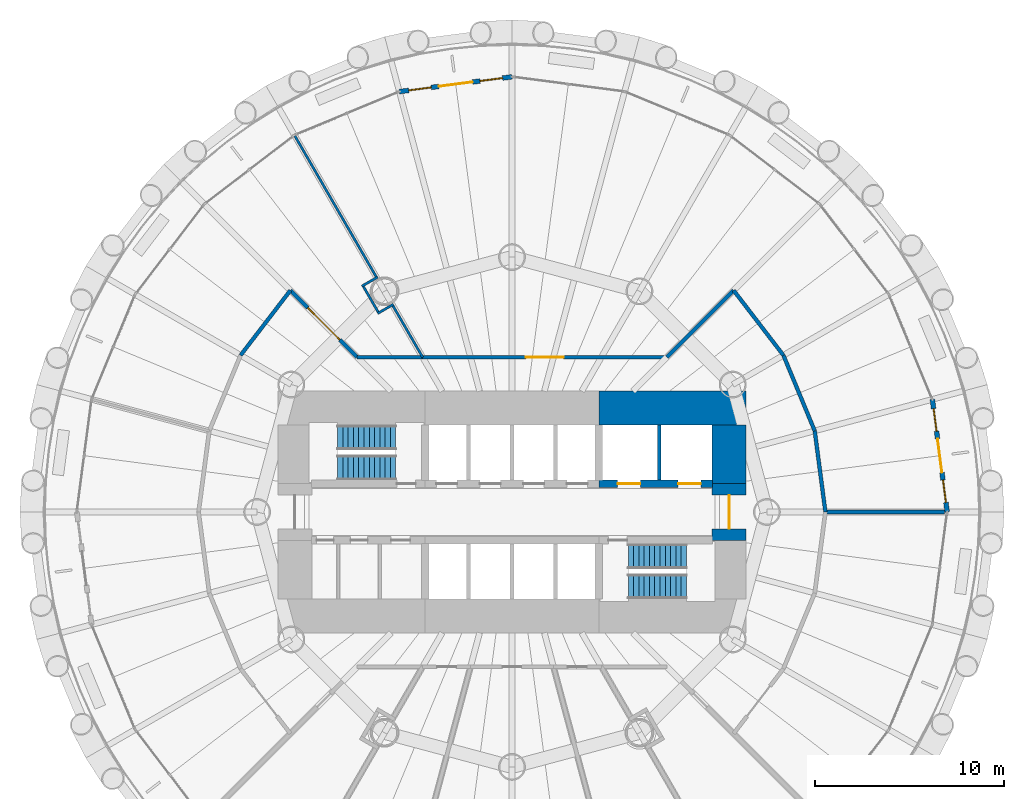
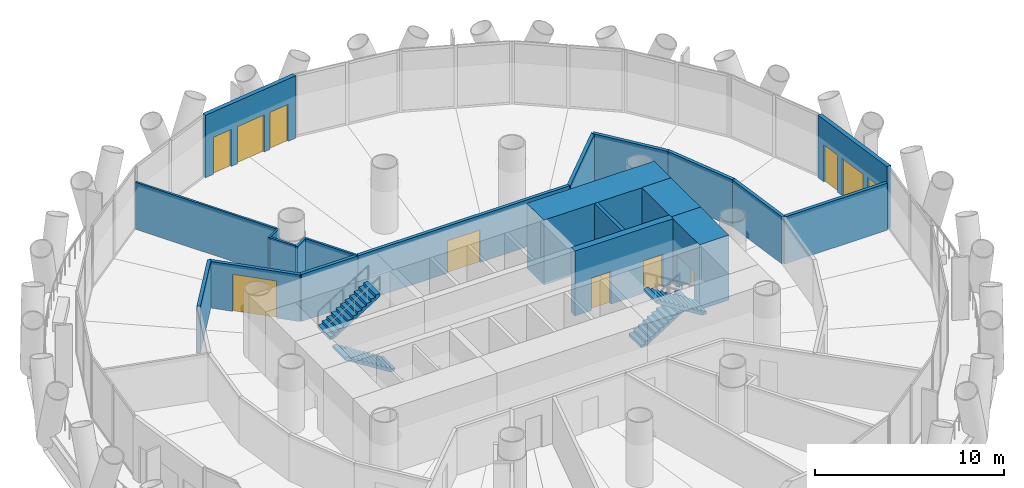
# One storey, part 10 of 14: 21 walls, 7 doors, 4 stair flights, 4 windows, 11 openings, 2 elements without a shape of their own.
"""IFC4 building model written with IfcOpenShell, lengths in metres."""

import ifcopenshell
import ifcopenshell.guid

model = None  # the IFC model being written
_history = None  # IfcOwnerHistory: only IFC2X3 demands one
_inside = {}  # id of a spatial element -> (the spatial element, [elements in it])
_under = {}  # id of a project, library or spatial element -> (it, [spatial elements below it])
_declared = {}  # id of a project -> (the project, [libraries it declares])
_typed = {}  # id of a type object -> (the type object, [elements of that type])
_made_of = {}  # id of a material, layer set ... -> (it, [elements and type objects made of it])


def new_model(schema):
    """Start an empty IFC model of exactly this schema.

    Asked for "IFC4X3", IfcOpenShell would pick the latest addendum, in which some entities
    have other attributes; the version numbers below select the first issue.
    IFC2X3 requires an IfcOwnerHistory on every rooted entity: one is made here for all.
    """
    global model, _history
    if schema == "IFC4X3":
        model = ifcopenshell.file(schema_version=(4, 3, 0, 0))
    else:
        model = ifcopenshell.file(schema=schema)
    _inside.clear()
    _under.clear()
    _declared.clear()
    _typed.clear()
    _made_of.clear()
    _history = None
    if model.schema == "IFC2X3":
        org = make("IfcOrganization", Name="unknown")
        user = make(
            "IfcPersonAndOrganization",
            ThePerson=make("IfcPerson", FamilyName="unknown"),
            TheOrganization=org,
        )
        app = make(
            "IfcApplication",
            ApplicationDeveloper=org,
            Version="unknown",
            ApplicationFullName="unknown",
            ApplicationIdentifier="unknown",
        )
        _history = make(
            "IfcOwnerHistory",
            OwningUser=user,
            OwningApplication=app,
            ChangeAction="ADDED",
            CreationDate=0,
        )
    return model


def make(cls, **values):
    """One entity of the class cls with the attributes given. An attribute that is None is left unset."""
    return model.create_entity(
        cls, **{name: value for name, value in values.items() if value is not None}
    )


def rooted(cls, **values):
    """An entity with a GlobalId (a new one), such as an element, a storey or a relation."""
    return make(cls, GlobalId=ifcopenshell.guid.new(), OwnerHistory=_history, **values)


def si_unit(unit_type, name, prefix=None):
    """IfcSIUnit, for example si_unit("LENGTHUNIT", "METRE", prefix="MILLI")."""
    return make("IfcSIUnit", UnitType=unit_type, Prefix=prefix, Name=name)


def assignment(units):
    """IfcUnitAssignment: the units of a project."""
    return None if units is None else make("IfcUnitAssignment", Units=units)


def point(xyz):
    """IfcCartesianPoint."""
    return None if xyz is None else make("IfcCartesianPoint", Coordinates=xyz)


def direction(xyz):
    """IfcDirection."""
    return None if xyz is None else make("IfcDirection", DirectionRatios=xyz)


def frame(location, z_axis=None, x_axis=None):
    """IfcAxis2Placement3D, a coordinate frame: its origin and axes. An axis left out is left unset."""
    return make(
        "IfcAxis2Placement3D",
        Location=point(location),
        Axis=direction(z_axis),
        RefDirection=direction(x_axis),
    )


def frame_2d(location, x_axis=None):
    """IfcAxis2Placement2D, a coordinate frame in the plane: its origin and x axis."""
    return make(
        "IfcAxis2Placement2D", Location=point(location), RefDirection=direction(x_axis)
    )


def origin():
    """The frame at (0, 0, 0) with its axes left unset."""
    return frame((0.0, 0.0, 0.0))


def place(relative_to, where):
    """IfcLocalPlacement: puts the frame where relative to a parent placement (None: the world)."""
    return make(
        "IfcLocalPlacement", PlacementRelTo=relative_to, RelativePlacement=where
    )


def context(
    kind, dimensions, precision=None, world=None, true_north=None, identifier=None
):
    """IfcGeometricRepresentationContext, for example the 3D "Model" context."""
    return make(
        "IfcGeometricRepresentationContext",
        ContextIdentifier=identifier,
        ContextType=kind,
        CoordinateSpaceDimension=dimensions,
        Precision=precision,
        WorldCoordinateSystem=world,
        TrueNorth=true_north,
    )


def subcontext(parent, identifier, kind, view, scale=None):
    """IfcGeometricRepresentationSubContext, for example "Body" below "Model"."""
    return make(
        "IfcGeometricRepresentationSubContext",
        ContextIdentifier=identifier,
        ContextType=kind,
        ParentContext=parent,
        TargetScale=scale,
        TargetView=view,
    )


def project(units=None, contexts=None):
    """IfcProject with its units and contexts."""
    return rooted(
        "IfcProject",
        Name="project",
        RepresentationContexts=contexts,
        UnitsInContext=assignment(units),
    )


def spatial(cls, under=None, at=None, **own):
    """A site, building, storey or space (cls), placed at a placement, below another one or the project."""
    s = rooted(cls, ObjectPlacement=at, **own)
    if under is not None:
        _under.setdefault(under.id(), (under, []))[1].append(s)
    return s


def polyline(points):
    """IfcPolyline through the points."""
    return make("IfcPolyline", Points=[point(p) for p in points])


def profile(cls, at=None, kind="AREA", **sizes):
    """A parametric profile (cls). Its sizes go by their IFC names, for example OverallWidth=200.0."""
    return make(cls, ProfileType=kind, Position=at, **sizes)


def rectangle(**sizes):
    """IfcRectangleProfileDef."""
    return profile("IfcRectangleProfileDef", **sizes)


def outline(outer, holes=None, kind="AREA"):
    """IfcArbitraryClosedProfileDef: a profile drawn as a closed curve; with holes, ...WithVoids."""
    if holes is None:
        return make("IfcArbitraryClosedProfileDef", ProfileType=kind, OuterCurve=outer)
    return make(
        "IfcArbitraryProfileDefWithVoids",
        ProfileType=kind,
        OuterCurve=outer,
        InnerCurves=holes,
    )


def extrude(swept, where, along, depth):
    """IfcExtrudedAreaSolid: the profile swept, set in the frame where, extruded along a direction by depth."""
    return make(
        "IfcExtrudedAreaSolid",
        SweptArea=swept,
        Position=where,
        ExtrudedDirection=direction(along),
        Depth=depth,
    )


def shape(context_of_items, identifier, shape_type, items):
    """IfcShapeRepresentation: the items that make up one representation, for example the "Body"."""
    return make(
        "IfcShapeRepresentation",
        ContextOfItems=context_of_items,
        RepresentationIdentifier=identifier,
        RepresentationType=shape_type,
        Items=items,
    )


def material(Name=None, Category=None):
    """IfcMaterial."""
    return make("IfcMaterial", Name=Name, Category=Category)


def layer(
    of_material, thickness, ventilated=None, Name=None, Category=None, Priority=None
):
    """IfcMaterialLayer: one layer of a wall or slab, of a material (None: an air gap)."""
    return make(
        "IfcMaterialLayer",
        Material=of_material,
        LayerThickness=thickness,
        IsVentilated=ventilated,
        Name=Name,
        Category=Category,
        Priority=Priority,
    )


def layer_set(layers, Name=None):
    """IfcMaterialLayerSet."""
    return make("IfcMaterialLayerSet", MaterialLayers=layers, LayerSetName=Name)


def made_of(thing, what):
    """Note that an element or type object is made of a material, layer set ...; save() writes the relation."""
    if what is not None:
        _made_of.setdefault(what.id(), (what, []))[1].append(thing)
    return thing


def type_object(cls, material=None, **own):
    """A type object (cls), such as IfcWallType, which elements share."""
    return made_of(rooted(cls, **own), material)


def element(
    cls,
    number,
    at=None,
    inside=None,
    cuts=None,
    type_object=None,
    material=None,
    context=None,
    identifier="Body",
    shape_type=None,
    held_by="IfcProductDefinitionShape",
    body=None,
    shapes=None,
    **own,
):
    """One element of the class cls, such as IfcWall. Its Tag is "e" and its number.

    at: its placement. inside: the storey or other place that contains it. cuts: it is an
    opening in that element (IfcRelVoidsElement). A single representation is given by context,
    identifier, shape_type and body (its items); several are given by shapes. held_by: the class
    of the entity that holds the representations. save() writes the other relations.
    """
    e = rooted(cls, Tag="e%d" % number, ObjectPlacement=at, **own)
    if body is not None:
        shapes = [shape(context, identifier, shape_type, body)]
    if shapes is not None:
        e.Representation = make(held_by, Representations=shapes)
    if inside is not None:
        _inside.setdefault(inside.id(), (inside, []))[1].append(e)
    if cuts is not None:
        rooted(
            "IfcRelVoidsElement", RelatingBuildingElement=cuts, RelatedOpeningElement=e
        )
    if type_object is not None:
        _typed.setdefault(type_object.id(), (type_object, []))[1].append(e)
    return made_of(e, material)


def fill(opening, filler):
    """IfcRelFillsElement: the door or window that sits in an opening."""
    return rooted(
        "IfcRelFillsElement",
        RelatingOpeningElement=opening,
        RelatedBuildingElement=filler,
    )


def aggregate(whole, parts):
    """IfcRelAggregates: a whole, such as a stair, and the parts it consists of."""
    return rooted("IfcRelAggregates", RelatingObject=whole, RelatedObjects=parts)


def save(model, path):
    """Write the relations noted so far, then the file.

    IfcRelAggregates (storeys below a building ...), IfcRelContainedInSpatialStructure (elements
    in a storey), IfcRelDefinesByType, IfcRelAssociatesMaterial and IfcRelDeclares: one each for
    every whole, place, type object, material and project.
    """
    for whole, parts in _under.values():
        aggregate(whole, parts)
    for where, things in _inside.values():
        rooted(
            "IfcRelContainedInSpatialStructure",
            RelatedElements=things,
            RelatingStructure=where,
        )
    for kind, things in _typed.values():
        rooted("IfcRelDefinesByType", RelatedObjects=things, RelatingType=kind)
    for what, things in _made_of.values():
        rooted("IfcRelAssociatesMaterial", RelatedObjects=things, RelatingMaterial=what)
    for by, libraries in _declared.values():
        rooted("IfcRelDeclares", RelatingContext=by, RelatedDefinitions=libraries)
    model.write(path)


model = new_model("IFC4")

# Units and contexts
model_context = context("Model", 3, precision=1e-05, world=origin(), true_north=direction((0.0, 1.0)))
body_context = subcontext(model_context, "Body", "Model", "MODEL_VIEW")
ifc_project = project(units=[si_unit("LENGTHUNIT", "METRE"), si_unit("AREAUNIT", "SQUARE_METRE"), si_unit("VOLUMEUNIT", "CUBIC_METRE"), si_unit("PLANEANGLEUNIT", "RADIAN"), si_unit("MASSUNIT", "GRAM", prefix="KILO")], contexts=[model_context])

# Site, building, storey
site_placement = place(None, origin())
site = spatial("IfcSite", under=ifc_project, at=site_placement, CompositionType="ELEMENT")
building_placement = place(site_placement, origin())
building = spatial("IfcBuilding", under=site, at=building_placement, Name="Qaws Media Tower", CompositionType="ELEMENT")
storey_placement = place(building_placement, frame((0.0, 0.0, 93.199951171875)))
storey = spatial("IfcBuildingStorey", under=building, at=storey_placement, Name="L20", CompositionType="ELEMENT", Elevation=93.199951171875)

# Wall, openings, door, windows
ifc_material_1 = material(Name="Precast concrete, exposed finish", Category="concrete")
ifc_layer_1 = layer(ifc_material_1, 0.25)
ifc_layer_set_1 = layer_set([ifc_layer_1], Name="Balcony door wall 250")
wall_type_1 = type_object("IfcWallType", Name="Balcony door wall 250", PredefinedType="SOLIDWALL", material=ifc_layer_set_1)
wall_1_placement = place(storey_placement, frame((83.050048828125, 50.0, 0.0), z_axis=(0.0, 0.0, 1.0), x_axis=(-0.130523782115, 0.991445178667, 0.0)))
wall_1 = element("IfcWall", 1, at=wall_1_placement, inside=storey, type_object=wall_type_1, Name="W152 EW1 balcony door wall L20-01", PredefinedType="SOLIDWALL", context=body_context, shape_type="SweptSolid", body=[
    extrude(rectangle(XDim=6.017333984375, YDim=0.25, at=frame_2d((3.0087890625, 0.0))), origin(), (0.0, 0.0, 1.0), 4.0400390625),
])
opening_1_placement = place(wall_1_placement, frame((2.108642578125, 0.0, 0.0)))
opening_1 = element("IfcOpeningElement", 2, at=opening_1_placement, cuts=wall_1, Name="Opening D7", PredefinedType="OPENING", context=body_context, shape_type="SweptSolid", body=[
    extrude(rectangle(XDim=1.800048828125, YDim=2.39990234375, at=frame_2d((0.89990234375, 1.199951171875))), frame((0.0, 0.135009765625, 0.0), z_axis=(0.0, -1.0, 0.0), x_axis=(1.0, 0.0, 0.0)), (0.0, 0.0, 1.0), 0.27001953125),
])
opening_2_placement = place(wall_1_placement, frame((0.508544921875, 0.0, 0.0)))
opening_2 = element("IfcOpeningElement", 3, at=opening_2_placement, cuts=wall_1, Name="Opening W1", PredefinedType="OPENING", context=body_context, shape_type="SweptSolid", body=[
    extrude(rectangle(XDim=1.199951171875, YDim=2.39990234375, at=frame_2d((0.60009765625, 1.199951171875))), frame((0.0, 0.135009765625, 0.0), z_axis=(0.0, -1.0, 0.0), x_axis=(1.0, 0.0, 0.0)), (0.0, 0.0, 1.0), 0.27001953125),
])
opening_3_placement = place(wall_1_placement, frame((4.30859375, 0.0, 0.0)))
opening_3 = element("IfcOpeningElement", 4, at=opening_3_placement, cuts=wall_1, Name="Opening W1", PredefinedType="OPENING", context=body_context, shape_type="SweptSolid", body=[
    extrude(rectangle(XDim=1.199951171875, YDim=2.39990234375, at=frame_2d((0.60009765625, 1.199951171875))), frame((0.0, 0.135009765625, 0.0), z_axis=(0.0, -1.0, 0.0), x_axis=(1.0, 0.0, 0.0)), (0.0, 0.0, 1.0), 0.27001953125),
])
ifc_material_2 = material(Name="Aluminium and clear glass", Category="aluminium")
door_type_1 = type_object("IfcDoorType", Name="Balcony door pair 1800", OperationType="DOUBLE_DOOR_SLIDING", PredefinedType="DOOR", material=ifc_material_2)
door_1_placement = place(opening_1_placement, origin())
door_1 = element("IfcDoor", 5, at=door_1_placement, inside=storey, type_object=door_type_1, Name="D7 balcony door L20-01 in wall W152", OperationType="DOUBLE_DOOR_SLIDING", OverallHeight=2.39990234375, OverallWidth=1.800048828125, PredefinedType="DOOR", context=body_context, shape_type="SweptSolid", body=[
    extrude(rectangle(XDim=1.800048828125, YDim=2.39990234375, at=frame_2d((0.89990234375, 1.199951171875))), frame((0.0, 0.02490234375, 0.0), z_axis=(0.0, -1.0, 0.0), x_axis=(1.0, 0.0, 0.0)), (0.0, 0.0, 1.0), 0.050048828125),
])
fill(opening_1, door_1)
ifc_material_3 = material(Name="Aluminium and clear glass", Category="aluminium")
window_type = type_object("IfcWindowType", Name="Balcony side window 1200", PartitioningType="SINGLE_PANEL", PredefinedType="WINDOW", material=ifc_material_3)
window_1_placement = place(opening_2_placement, origin())
window_1 = element("IfcWindow", 6, at=window_1_placement, inside=storey, type_object=window_type, Name="W1 balcony side light L20-01L", OverallHeight=2.39990234375, OverallWidth=1.199951171875, PartitioningType="SINGLE_PANEL", PredefinedType="WINDOW", context=body_context, shape_type="SweptSolid", body=[
    extrude(rectangle(XDim=1.199951171875, YDim=2.39990234375, at=frame_2d((0.60009765625, 1.199951171875))), frame((0.0, 0.030029296875, 0.0), z_axis=(0.0, -1.0, 0.0), x_axis=(1.0, 0.0, 0.0)), (0.0, 0.0, 1.0), 0.06005859375),
])
fill(opening_2, window_1)
window_2_placement = place(opening_3_placement, origin())
window_2 = element("IfcWindow", 7, at=window_2_placement, inside=storey, type_object=window_type, Name="W1 balcony side light L20-01R", OverallHeight=2.39990234375, OverallWidth=1.199951171875, PartitioningType="SINGLE_PANEL", PredefinedType="WINDOW", context=body_context, shape_type="SweptSolid", body=[
    extrude(rectangle(XDim=1.199951171875, YDim=2.39990234375, at=frame_2d((0.60009765625, 1.199951171875))), frame((0.0, 0.030029296875, 0.0), z_axis=(0.0, -1.0, 0.0), x_axis=(1.0, 0.0, 0.0)), (0.0, 0.0, 1.0), 0.06005859375),
])
fill(opening_3, window_2)

wall_2_placement = place(storey_placement, frame((60.0, 73.050048828125, 0.0), z_axis=(0.0, 0.0, 1.0), x_axis=(-0.991445178667, -0.130523782115, 0.0)))
wall_2 = element("IfcWall", 8, at=wall_2_placement, inside=storey, type_object=wall_type_1, Name="W151 EW1 balcony door wall L20-07", PredefinedType="SOLIDWALL", context=body_context, shape_type="SweptSolid", body=[
    extrude(rectangle(XDim=6.017333984375, YDim=0.25, at=frame_2d((3.0087890625, 0.0))), origin(), (0.0, 0.0, 1.0), 4.0400390625),
])
opening_4_placement = place(wall_2_placement, frame((2.108642578125, 0.0, 0.0)))
opening_4 = element("IfcOpeningElement", 9, at=opening_4_placement, cuts=wall_2, Name="Opening D7", PredefinedType="OPENING", context=body_context, shape_type="SweptSolid", body=[
    extrude(rectangle(XDim=1.800048828125, YDim=2.39990234375, at=frame_2d((0.89990234375, 1.199951171875))), frame((0.0, 0.135009765625, 0.0), z_axis=(0.0, -1.0, 0.0), x_axis=(1.0, 0.0, 0.0)), (0.0, 0.0, 1.0), 0.27001953125),
])
opening_5_placement = place(wall_2_placement, frame((0.508544921875, 0.0, 0.0)))
opening_5 = element("IfcOpeningElement", 10, at=opening_5_placement, cuts=wall_2, Name="Opening W1", PredefinedType="OPENING", context=body_context, shape_type="SweptSolid", body=[
    extrude(rectangle(XDim=1.199951171875, YDim=2.39990234375, at=frame_2d((0.60009765625, 1.199951171875))), frame((0.0, 0.135009765625, 0.0), z_axis=(0.0, -1.0, 0.0), x_axis=(1.0, 0.0, 0.0)), (0.0, 0.0, 1.0), 0.27001953125),
])
opening_6_placement = place(wall_2_placement, frame((4.30859375, 0.0, 0.0)))
opening_6 = element("IfcOpeningElement", 11, at=opening_6_placement, cuts=wall_2, Name="Opening W1", PredefinedType="OPENING", context=body_context, shape_type="SweptSolid", body=[
    extrude(rectangle(XDim=1.199951171875, YDim=2.39990234375, at=frame_2d((0.60009765625, 1.199951171875))), frame((0.0, 0.135009765625, 0.0), z_axis=(0.0, -1.0, 0.0), x_axis=(1.0, 0.0, 0.0)), (0.0, 0.0, 1.0), 0.27001953125),
])
door_2_placement = place(opening_4_placement, origin())
door_2 = element("IfcDoor", 12, at=door_2_placement, inside=storey, type_object=door_type_1, Name="D7 balcony door L20-07 in wall W151", OperationType="DOUBLE_DOOR_SLIDING", OverallHeight=2.39990234375, OverallWidth=1.800048828125, PredefinedType="DOOR", context=body_context, shape_type="SweptSolid", body=[
    extrude(rectangle(XDim=1.800048828125, YDim=2.39990234375, at=frame_2d((0.89990234375, 1.199951171875))), frame((0.0, 0.02490234375, 0.0), z_axis=(0.0, -1.0, 0.0), x_axis=(1.0, 0.0, 0.0)), (0.0, 0.0, 1.0), 0.050048828125),
])
fill(opening_4, door_2)
window_3_placement = place(opening_5_placement, origin())
window_3 = element("IfcWindow", 13, at=window_3_placement, inside=storey, type_object=window_type, Name="W1 balcony side light L20-07L", OverallHeight=2.39990234375, OverallWidth=1.199951171875, PartitioningType="SINGLE_PANEL", PredefinedType="WINDOW", context=body_context, shape_type="SweptSolid", body=[
    extrude(rectangle(XDim=1.199951171875, YDim=2.39990234375, at=frame_2d((0.60009765625, 1.199951171875))), frame((0.0, 0.030029296875, 0.0), z_axis=(0.0, -1.0, 0.0), x_axis=(1.0, 0.0, 0.0)), (0.0, 0.0, 1.0), 0.06005859375),
])
fill(opening_5, window_3)
window_4_placement = place(opening_6_placement, origin())
window_4 = element("IfcWindow", 14, at=window_4_placement, inside=storey, type_object=window_type, Name="W1 balcony side light L20-07R", OverallHeight=2.39990234375, OverallWidth=1.199951171875, PartitioningType="SINGLE_PANEL", PredefinedType="WINDOW", context=body_context, shape_type="SweptSolid", body=[
    extrude(rectangle(XDim=1.199951171875, YDim=2.39990234375, at=frame_2d((0.60009765625, 1.199951171875))), frame((0.0, 0.030029296875, 0.0), z_axis=(0.0, -1.0, 0.0), x_axis=(1.0, 0.0, 0.0)), (0.0, 0.0, 1.0), 0.06005859375),
])
fill(opening_6, window_4)

# Wall, openings, doors
ifc_material_4 = material(Name="Concrete C60/75", Category="concrete")
ifc_layer_2 = layer(ifc_material_4, 0.39990234375)
ifc_layer_set_2 = layer_set([ifc_layer_2], Name="Core inner wall 400")
wall_type_2 = type_object("IfcWallType", Name="Core inner wall 400", PredefinedType="SHEAR", material=ifc_layer_set_2)
wall_3_placement = place(storey_placement, frame((64.60009765625, 51.5, 0.0), z_axis=(0.0, 0.0, 1.0), x_axis=(1.0, 0.0, 0.0)))
wall_3 = element("IfcWall", 15, at=wall_3_placement, inside=storey, type_object=wall_type_2, Name="W318 SW4 core wall SPNE L20", PredefinedType="SHEAR", context=body_context, shape_type="SweptSolid", body=[
    extrude(rectangle(XDim=6.02001953125, YDim=0.39990234375, at=frame_2d((3.010009765625, 0.0))), origin(), (0.0, 0.0, 1.0), 4.199951171875),
])
opening_7_placement = place(wall_3_placement, frame((1.0, 0.0, 0.0)))
opening_7 = element("IfcOpeningElement", 16, at=opening_7_placement, cuts=wall_3, Name="Opening LD2", PredefinedType="OPENING", context=body_context, shape_type="SweptSolid", body=[
    extrude(rectangle(XDim=1.199951171875, YDim=2.10009765625, at=frame_2d((0.60009765625, 1.050048828125))), frame((0.0, 0.2099609375, 0.0), z_axis=(0.0, -1.0, 0.0), x_axis=(1.0, 0.0, 0.0)), (0.0, 0.0, 1.0), 0.419921875),
])
opening_8_placement = place(wall_3_placement, frame((4.199951171875, 0.0, 0.0)))
opening_8 = element("IfcOpeningElement", 17, at=opening_8_placement, cuts=wall_3, Name="Opening LD2", PredefinedType="OPENING", context=body_context, shape_type="SweptSolid", body=[
    extrude(rectangle(XDim=1.199951171875, YDim=2.10009765625, at=frame_2d((0.60009765625, 1.050048828125))), frame((0.0, 0.2099609375, 0.0), z_axis=(0.0, -1.0, 0.0), x_axis=(1.0, 0.0, 0.0)), (0.0, 0.0, 1.0), 0.419921875),
])
ifc_material_5 = material(Name="Steel, fire rated", Category="steel")
door_type_2 = type_object("IfcDoorType", Name="Lift landing door 1200", OperationType="SLIDING_TO_LEFT", PredefinedType="DOOR", material=ifc_material_5)
door_3_placement = place(opening_7_placement, origin())
door_3 = element("IfcDoor", 18, at=door_3_placement, inside=storey, type_object=door_type_2, Name="FL1 landing door L20 in wall W318", OperationType="SLIDING_TO_LEFT", OverallHeight=2.10009765625, OverallWidth=1.199951171875, PredefinedType="DOOR", context=body_context, shape_type="SweptSolid", body=[
    extrude(rectangle(XDim=1.199951171875, YDim=2.10009765625, at=frame_2d((0.60009765625, 1.050048828125))), frame((0.0, 0.02490234375, 0.0), z_axis=(0.0, -1.0, 0.0), x_axis=(1.0, 0.0, 0.0)), (0.0, 0.0, 1.0), 0.050048828125),
])
fill(opening_7, door_3)
door_4_placement = place(opening_8_placement, origin())
door_4 = element("IfcDoor", 19, at=door_4_placement, inside=storey, type_object=door_type_2, Name="FL2 landing door L20 in wall W318", OperationType="SLIDING_TO_LEFT", OverallHeight=2.10009765625, OverallWidth=1.199951171875, PredefinedType="DOOR", context=body_context, shape_type="SweptSolid", body=[
    extrude(rectangle(XDim=1.199951171875, YDim=2.10009765625, at=frame_2d((0.60009765625, 1.050048828125))), frame((0.0, 0.02490234375, 0.0), z_axis=(0.0, -1.0, 0.0), x_axis=(1.0, 0.0, 0.0)), (0.0, 0.0, 1.0), 0.050048828125),
])
fill(opening_8, door_4)

# Wall
ifc_material_6 = material(Name="Concrete C60/75", Category="concrete")
ifc_layer_3 = layer(ifc_material_6, 1.800048828125)
ifc_layer_set_3 = layer_set([ifc_layer_3], Name="Core wall 1800")
wall_type_3 = type_object("IfcWallType", Name="Core wall 1800", PredefinedType="SHEAR", material=ifc_layer_set_3)
wall_4_placement = place(storey_placement, frame((64.60009765625, 55.5, 0.0), z_axis=(0.0, 0.0, 1.0), x_axis=(1.0, 0.0, 0.0)))
element("IfcWall", 20, at=wall_4_placement, inside=storey, type_object=wall_type_3, Name="W406 SW11 core wall NE L20", PredefinedType="SHEAR", context=body_context, shape_type="SweptSolid", body=[
    extrude(rectangle(XDim=7.7998046875, YDim=1.800048828125, at=frame_2d((3.89990234375, 0.0))), origin(), (0.0, 0.0, 1.0), 4.199951171875),
])

# Wall, opening, door
wall_5_placement = place(storey_placement, frame((71.5, 48.5, 0.0), z_axis=(0.0, 0.0, 1.0), x_axis=(0.0, 1.0, 0.0)))
wall_5 = element("IfcWall", 21, at=wall_5_placement, inside=storey, type_object=wall_type_3, Name="W408 SW11 core wall E L20", PredefinedType="SHEAR", context=body_context, shape_type="SweptSolid", body=[
    extrude(rectangle(XDim=3.0, YDim=1.800048828125, at=frame_2d((1.5, 0.0))), origin(), (0.0, 0.0, 1.0), 4.199951171875),
])
opening_9_placement = place(wall_5_placement, frame((0.60009765625, 0.0, 0.0)))
opening_9 = element("IfcOpeningElement", 22, at=opening_9_placement, cuts=wall_5, Name="Opening D2", PredefinedType="OPENING", context=body_context, shape_type="SweptSolid", body=[
    extrude(rectangle(XDim=1.800048828125, YDim=2.10009765625, at=frame_2d((0.89990234375, 1.050048828125))), frame((0.0, 0.909912109375, 0.0), z_axis=(0.0, -1.0, 0.0), x_axis=(1.0, 0.0, 0.0)), (0.0, 0.0, 1.0), 1.820068359375),
])
ifc_material_7 = material(Name="Steel and glass, fire rated", Category="steel")
door_type_3 = type_object("IfcDoorType", Name="Lobby door pair 1800 FD60", OperationType="DOUBLE_DOOR_DOUBLE_SWING", PredefinedType="DOOR", material=ifc_material_7)
door_5_placement = place(opening_9_placement, origin())
door_5 = element("IfcDoor", 23, at=door_5_placement, inside=storey, type_object=door_type_3, Name="D2 core lobby door E L20 in wall W408", OperationType="DOUBLE_DOOR_DOUBLE_SWING", OverallHeight=2.10009765625, OverallWidth=1.800048828125, PredefinedType="DOOR", context=body_context, shape_type="SweptSolid", body=[
    extrude(rectangle(XDim=1.800048828125, YDim=2.10009765625, at=frame_2d((0.89990234375, 1.050048828125))), frame((0.0, 0.02490234375, 0.0), z_axis=(0.0, -1.0, 0.0), x_axis=(1.0, 0.0, 0.0)), (0.0, 0.0, 1.0), 0.050048828125),
])
fill(opening_9, door_5)

# Walls
wall_6_placement = place(storey_placement, frame((71.5, 51.5, 0.0), z_axis=(0.0, 0.0, 1.0), x_axis=(0.0, 1.0, 0.0)))
element("IfcWall", 24, at=wall_6_placement, inside=storey, type_object=wall_type_3, Name="W409 SW11 core wall EN L20", PredefinedType="SHEAR", context=body_context, shape_type="SweptSolid", body=[
    extrude(rectangle(XDim=3.1201171875, YDim=1.800048828125, at=frame_2d((1.56005859375, 0.0))), origin(), (0.0, 0.0, 1.0), 4.199951171875),
])
ifc_material_8 = material(Name="Two layers gypsum board each side on 75 studs, insulated", Category="gypsum")
ifc_layer_4 = layer(ifc_material_8, 0.125)
ifc_layer_set_4 = layer_set([ifc_layer_4], Name="Meeting room partition 125 Rw 48")
wall_type_4 = type_object("IfcWallType", Name="Meeting room partition 125 Rw 48", PredefinedType="PARTITIONING", material=ifc_layer_set_4)
for number, where, z_axis, x_axis, name in (
    (25, (53.720947265625, 61.000732421875, 0.0), (0.0, 0.0, 1.0), (-0.866110039299, -0.499853378327, 0.0), "W528 IW5 partition return L20"),
    (26, (52.887451171875, 62.4443359375, 0.0), (0.0, 0.0, 1.0), (-0.866110039299, -0.499853378327, 0.0), "W526 IW5 partition return L20"),
):
    element("IfcWall", number, at=place(storey_placement, frame(where, z_axis=z_axis, x_axis=x_axis)), inside=storey, type_object=wall_type_4, Name=name, PredefinedType="PARTITIONING", context=body_context, shape_type="SweptSolid", body=[
        extrude(rectangle(XDim=0.968505859375, YDim=0.125, at=frame_2d((0.484375, 0.0))), origin(), (0.0, 0.0, 1.0), 3.02001953125),
    ])
wall_7_placement = place(storey_placement, frame((52.905029296875, 60.601806640625, 0.0), z_axis=(0.0, 0.0, 1.0), x_axis=(-0.499987416453, 0.866032668777, 0.0)))
element("IfcWall", 27, at=wall_7_placement, inside=storey, type_object=wall_type_4, Name="W527 IW5 partition return L20", PredefinedType="PARTITIONING", context=body_context, shape_type="SweptSolid", body=[
    extrude(rectangle(XDim=1.5419921875, YDim=0.125, at=frame_2d((0.77099609375, 0.0))), origin(), (0.0, 0.0, 1.0), 3.02001953125),
])
wall_8_placement = place(storey_placement, frame((55.27001953125, 58.192626953125, 0.0), z_axis=(0.0, 0.0, 1.0), x_axis=(-0.500022702249, 0.866012296238, 0.0)))
element("IfcWall", 28, at=wall_8_placement, inside=storey, type_object=wall_type_4, Name="W529 IW5 partition L20", PredefinedType="PARTITIONING", context=body_context, shape_type="SweptSolid", body=[
    extrude(rectangle(XDim=3.143798828125, YDim=0.125, at=frame_2d((1.57177734375, 0.0))), origin(), (0.0, 0.0, 1.0), 3.0400390625),
])
wall_9_placement = place(storey_placement, frame((52.802001953125, 62.46728515625, 0.0), z_axis=(0.0, 0.0, 1.0), x_axis=(-0.499989056403, 0.866031721981, 0.0)))
element("IfcWall", 29, at=wall_9_placement, inside=storey, type_object=wall_type_4, Name="W525 IW5 partition L20", PredefinedType="PARTITIONING", context=body_context, shape_type="SweptSolid", body=[
    extrude(rectangle(XDim=8.614013671875, YDim=0.125, at=frame_2d((4.30712890625, 0.0))), origin(), (0.0, 0.0, 1.0), 3.0400390625),
])
ifc_material_9 = material(Name="Gypsum board on galvanised metal studs, acoustic double stud, deflection head", Category="gypsum")
ifc_layer_5 = layer(ifc_material_9, 0.199951171875)
ifc_layer_set_5 = layer_set([ifc_layer_5], Name="Room partition 200")
wall_type_5 = type_object("IfcWallType", Name="Room partition 200", PredefinedType="PARTITIONING", material=ifc_layer_set_5)
wall_10_placement = place(storey_placement, frame((45.6240234375, 58.300048828125, 0.0), z_axis=(0.0, 0.0, 1.0), x_axis=(0.60874374674, 0.79336690806, 0.0)))
element("IfcWall", 30, at=wall_10_placement, inside=storey, type_object=wall_type_5, Name="W992 IW3 partition L20", PredefinedType="PARTITIONING", context=body_context, shape_type="SweptSolid", body=[
    extrude(rectangle(XDim=4.33349609375, YDim=0.199951171875, at=frame_2d((2.166748046875, 0.0))), origin(), (0.0, 0.0, 1.0), 3.0400390625),
])

# Wall, opening, door
wall_11_placement = place(storey_placement, frame((48.261962890625, 61.738037109375, 0.0), z_axis=(0.0, 0.0, 1.0), x_axis=(0.707106781187, -0.707106781187, 0.0)))
wall_11 = element("IfcWall", 31, at=wall_11_placement, inside=storey, type_object=wall_type_5, Name="W1113 IW3 partition L20", PredefinedType="PARTITIONING", context=body_context, shape_type="SweptSolid", body=[
    extrude(rectangle(XDim=5.003662109375, YDim=0.199951171875, at=frame_2d((2.501953125, 0.0))), origin(), (0.0, 0.0, 1.0), 3.02001953125),
])
opening_10_placement = place(wall_11_placement, frame((1.3017578125, 0.0, 0.0)))
opening_10 = element("IfcOpeningElement", 32, at=opening_10_placement, cuts=wall_11, Name="Opening D17", PredefinedType="OPENING", context=body_context, shape_type="SweptSolid", body=[
    extrude(rectangle(XDim=2.39990234375, YDim=2.39990234375, at=frame_2d((1.199951171875, 1.199951171875))), frame((0.0, 0.10986328125, 0.0), z_axis=(0.0, -1.0, 0.0), x_axis=(1.0, 0.0, 0.0)), (0.0, 0.0, 1.0), 0.219970703125),
])
ifc_material_10 = material(Name="Timber veneered, panic hardware", Category="wood")
door_type_4 = type_object("IfcDoorType", Name="Assembly room door pair 2400x2400", OperationType="DOUBLE_DOOR_DOUBLE_SWING", PredefinedType="DOOR", material=ifc_material_10)
door_6_placement = place(opening_10_placement, origin())
door_6 = element("IfcDoor", 33, at=door_6_placement, inside=storey, type_object=door_type_4, Name="D17 Training room door L20 in wall W1113", OperationType="DOUBLE_DOOR_DOUBLE_SWING", OverallHeight=2.39990234375, OverallWidth=2.39990234375, PredefinedType="DOOR", context=body_context, shape_type="SweptSolid", body=[
    extrude(rectangle(XDim=2.39990234375, YDim=2.39990234375, at=frame_2d((1.199951171875, 1.199951171875))), frame((0.0, 0.02490234375, 0.0), z_axis=(0.0, -1.0, 0.0), x_axis=(1.0, 0.0, 0.0)), (0.0, 0.0, 1.0), 0.050048828125),
])
fill(opening_10, door_6)

# Wall
wall_12_placement = place(storey_placement, frame((51.800048828125, 58.199951171875, 0.0), z_axis=(0.0, 0.0, 1.0), x_axis=(1.0, 0.0, 0.0)))
element("IfcWall", 34, at=wall_12_placement, inside=storey, type_object=wall_type_5, Name="W963 IW3 partition L20", PredefinedType="PARTITIONING", context=body_context, shape_type="SweptSolid", body=[
    extrude(rectangle(XDim=3.465576171875, YDim=0.199951171875, at=frame_2d((1.73291015625, 0.0))), origin(), (0.0, 0.0, 1.0), 3.0400390625),
])

# Wall, opening, door
wall_13_placement = place(storey_placement, frame((55.265625, 58.199951171875, 0.0), z_axis=(0.0, 0.0, 1.0), x_axis=(1.0, 0.0, 0.0)))
wall_13 = element("IfcWall", 35, at=wall_13_placement, inside=storey, type_object=wall_type_5, Name="W969 IW3 partition L20", PredefinedType="PARTITIONING", context=body_context, shape_type="SweptSolid", body=[
    extrude(rectangle(XDim=12.934326171875, YDim=0.199951171875, at=frame_2d((6.46728515625, 0.0))), origin(), (0.0, 0.0, 1.0), 3.0400390625),
])
opening_11_placement = place(wall_13_placement, frame((5.467041015625, 0.0, 0.0)))
opening_11 = element("IfcOpeningElement", 36, at=opening_11_placement, cuts=wall_13, Name="Opening D6", PredefinedType="OPENING", context=body_context, shape_type="SweptSolid", body=[
    extrude(rectangle(XDim=2.0, YDim=2.10009765625, at=frame_2d((1.0, 1.050048828125))), frame((0.0, 0.10986328125, 0.0), z_axis=(0.0, -1.0, 0.0), x_axis=(1.0, 0.0, 0.0)), (0.0, 0.0, 1.0), 0.219970703125),
])
ifc_material_11 = material(Name="Steel, acoustic, fire rated", Category="steel")
door_type_5 = type_object("IfcDoorType", Name="Room door pair 2000", OperationType="DOUBLE_DOOR_DOUBLE_SWING", PredefinedType="DOOR", material=ifc_material_11)
door_7_placement = place(opening_11_placement, origin())
door_7 = element("IfcDoor", 37, at=door_7_placement, inside=storey, type_object=door_type_5, Name="D6 Broadcast engineering office door L20 in wall W969", OperationType="DOUBLE_DOOR_DOUBLE_SWING", OverallHeight=2.10009765625, OverallWidth=2.0, PredefinedType="DOOR", context=body_context, shape_type="SweptSolid", body=[
    extrude(rectangle(XDim=2.0, YDim=2.10009765625, at=frame_2d((1.0, 1.050048828125))), frame((0.0, 0.02490234375, 0.0), z_axis=(0.0, -1.0, 0.0), x_axis=(1.0, 0.0, 0.0)), (0.0, 0.0, 1.0), 0.050048828125),
])
fill(opening_11, door_7)

# Walls
wall_14_placement = place(storey_placement, frame((68.199951171875, 58.199951171875, 0.0), z_axis=(0.0, 0.0, 1.0), x_axis=(0.707106781187, 0.707106781187, 0.0)))
element("IfcWall", 38, at=wall_14_placement, inside=storey, type_object=wall_type_5, Name="W1130 IW3 partition L20", PredefinedType="PARTITIONING", context=body_context, shape_type="SweptSolid", body=[
    extrude(rectangle(XDim=5.003662109375, YDim=0.199951171875, at=frame_2d((2.501953125, 0.0))), origin(), (0.0, 0.0, 1.0), 3.02001953125),
])
for number, where, z_axis, x_axis, name in (
    (39, (71.738037109375, 61.738037109375, 0.0), (0.0, 0.0, 1.0), (0.60874374674, -0.79336690806, 0.0), "W1012 IW3 partition L20"),
    (40, (74.3759765625, 58.300048828125, 0.0), (0.0, 0.0, 1.0), (0.382698425325, -0.923873322082, 0.0), "W1014 IW3 partition L20"),
    (41, (76.034423828125, 54.29638671875, 0.0), (0.0, 0.0, 1.0), (0.130536124221, -0.99144355375, 0.0), "W1016 IW3 partition L20"),
):
    element("IfcWall", number, at=place(storey_placement, frame(where, z_axis=z_axis, x_axis=x_axis)), inside=storey, type_object=wall_type_5, Name=name, PredefinedType="PARTITIONING", context=body_context, shape_type="SweptSolid", body=[
        extrude(rectangle(XDim=4.33349609375, YDim=0.199951171875, at=frame_2d((2.166748046875, 0.0))), origin(), (0.0, 0.0, 1.0), 3.0400390625),
    ])
wall_15_placement = place(storey_placement, frame((76.60009765625, 50.0, 0.0), z_axis=(0.0, 0.0, 1.0), x_axis=(1.0, 0.0, 0.0)))
element("IfcWall", 42, at=wall_15_placement, inside=storey, type_object=wall_type_5, Name="W1131 IW3 partition L20", PredefinedType="PARTITIONING", context=body_context, shape_type="SweptSolid", body=[
    extrude(rectangle(XDim=6.309814453125, YDim=0.199951171875, at=frame_2d((3.15478515625, 0.0))), origin(), (0.0, 0.0, 1.0), 3.0400390625),
])
ifc_material_12 = material(Name="Fire-rated gypsum board shaft wall on galvanised metal studs, deflection head", Category="gypsum")
ifc_layer_6 = layer(ifc_material_12, 0.199951171875)
ifc_layer_set_6 = layer_set([ifc_layer_6], Name="Shaft wall 200")
wall_type_6 = type_object("IfcWallType", Name="Shaft wall 200", PredefinedType="PARTITIONING", material=ifc_layer_set_6)
wall_16_placement = place(storey_placement, frame((67.800048828125, 51.699951171875, 0.0), z_axis=(0.0, 0.0, 1.0), x_axis=(0.0, 1.0, 0.0)))
element("IfcWall", 43, at=wall_16_placement, inside=storey, type_object=wall_type_6, Name="W1845 IW1 shaft wall FL L20", PredefinedType="PARTITIONING", context=body_context, shape_type="SweptSolid", body=[
    extrude(rectangle(XDim=2.900146484375, YDim=0.199951171875, at=frame_2d((1.4501953125, 0.0))), origin(), (0.0, 0.0, 1.0), 4.199951171875),
])

# Stair, stair flights
ifc_material_13 = material(Name="Concrete C40/50", Category="concrete")
stair_type = type_object("IfcStairType", Name="Exit stair", PredefinedType="HALF_TURN_STAIR", material=ifc_material_13)
stair_1_placement = place(storey_placement, origin())
stair_1 = element("IfcStair", 44, at=stair_1_placement, inside=storey, type_object=stair_type, Name="S1 exit stair L20", PredefinedType="HALF_TURN_STAIR")
ifc_material_14 = material(Name="Concrete C40/50", Category="concrete")
stair_flight_type = type_object("IfcStairFlightType", Name="Stair flight 1310", PredefinedType="STRAIGHT", material=ifc_material_14)
stair_flight_1_placement = place(storey_placement, frame((53.840087890625, 52.35498046875, 0.0), z_axis=(0.0, 0.0, 1.0), x_axis=(-1.0, 0.0, 0.0)))
stair_flight_1 = element("IfcStairFlight", 45, at=stair_flight_1_placement, type_object=stair_flight_type, Name="S1 flight 1", NumberOfRisers=12, NumberOfTreads=11, PredefinedType="STRAIGHT", RiserHeight=0.175, TreadLength=0.28, context=body_context, shape_type="SweptSolid", body=[
    extrude(outline(polyline([(0.0, 0.0), (0.0, 0.175048828125), (0.280029296875, 0.175048828125), (0.280029296875, 0.35009765625), (0.56005859375, 0.35009765625), (0.56005859375, 0.52490234375), (0.840087890625, 0.52490234375), (0.840087890625, 0.699951171875), (1.1201171875, 0.699951171875), (1.1201171875, 0.875), (1.39990234375, 0.875), (1.39990234375, 1.050048828125), (1.679931640625, 1.050048828125), (1.679931640625, 1.22509765625), (1.9599609375, 1.22509765625), (1.9599609375, 1.39990234375), (2.239990234375, 1.39990234375), (2.239990234375, 1.574951171875), (2.52001953125, 1.574951171875), (2.52001953125, 1.75), (2.800048828125, 1.75), (2.800048828125, 1.925048828125), (3.080078125, 1.925048828125), (3.080078125, 2.10009765625), (3.080078125, 1.748291015625), (0.28271484375, 0.0), (0.0, 0.0)])), frame((0.0, 0.655029296875, 0.0), z_axis=(0.0, -1.0, 0.0), x_axis=(1.0, 0.0, 0.0)), (0.0, 0.0, 1.0), 1.31005859375),
])
stair_flight_2_placement = place(storey_placement, frame((50.760009765625, 53.945068359375, 2.10009765625), z_axis=(0.0, 0.0, 1.0), x_axis=(1.0, 0.0, 0.0)))
stair_flight_2 = element("IfcStairFlight", 46, at=stair_flight_2_placement, type_object=stair_flight_type, Name="S1 flight 2", NumberOfRisers=12, NumberOfTreads=11, PredefinedType="STRAIGHT", RiserHeight=0.175, TreadLength=0.28, context=body_context, shape_type="SweptSolid", body=[
    extrude(outline(polyline([(0.0, 0.0), (0.0, 0.175048828125), (0.280029296875, 0.175048828125), (0.280029296875, 0.35009765625), (0.56005859375, 0.35009765625), (0.56005859375, 0.52490234375), (0.840087890625, 0.52490234375), (0.840087890625, 0.699951171875), (1.1201171875, 0.699951171875), (1.1201171875, 0.875), (1.39990234375, 0.875), (1.39990234375, 1.050048828125), (1.679931640625, 1.050048828125), (1.679931640625, 1.22509765625), (1.9599609375, 1.22509765625), (1.9599609375, 1.39990234375), (2.239990234375, 1.39990234375), (2.239990234375, 1.574951171875), (2.52001953125, 1.574951171875), (2.52001953125, 1.75), (2.800048828125, 1.75), (2.800048828125, 1.925048828125), (3.080078125, 1.925048828125), (3.080078125, 2.10009765625), (3.080078125, 1.748291015625), (0.28271484375, 0.0), (0.0, 0.0)])), frame((0.0, 0.655029296875, 0.0), z_axis=(0.0, -1.0, 0.0), x_axis=(1.0, 0.0, 0.0)), (0.0, 0.0, 1.0), 1.31005859375),
])
aggregate(stair_1, [stair_flight_1, stair_flight_2])

stair_2_placement = place(storey_placement, origin())
stair_2 = element("IfcStair", 47, at=stair_2_placement, inside=storey, type_object=stair_type, Name="S2 exit stair L20", PredefinedType="HALF_TURN_STAIR")
stair_flight_3_placement = place(storey_placement, frame((66.159912109375, 47.64501953125, 0.0), z_axis=(0.0, 0.0, 1.0), x_axis=(1.0, 0.0, 0.0)))
stair_flight_3 = element("IfcStairFlight", 48, at=stair_flight_3_placement, type_object=stair_flight_type, Name="S2 flight 1", NumberOfRisers=12, NumberOfTreads=11, PredefinedType="STRAIGHT", RiserHeight=0.175, TreadLength=0.28, context=body_context, shape_type="SweptSolid", body=[
    extrude(outline(polyline([(0.0, 0.0), (0.0, 0.175048828125), (0.280029296875, 0.175048828125), (0.280029296875, 0.35009765625), (0.56005859375, 0.35009765625), (0.56005859375, 0.52490234375), (0.840087890625, 0.52490234375), (0.840087890625, 0.699951171875), (1.1201171875, 0.699951171875), (1.1201171875, 0.875), (1.39990234375, 0.875), (1.39990234375, 1.050048828125), (1.679931640625, 1.050048828125), (1.679931640625, 1.22509765625), (1.9599609375, 1.22509765625), (1.9599609375, 1.39990234375), (2.239990234375, 1.39990234375), (2.239990234375, 1.574951171875), (2.52001953125, 1.574951171875), (2.52001953125, 1.75), (2.800048828125, 1.75), (2.800048828125, 1.925048828125), (3.080078125, 1.925048828125), (3.080078125, 2.10009765625), (3.080078125, 1.748291015625), (0.28271484375, 0.0), (0.0, 0.0)])), frame((0.0, 0.655029296875, 0.0), z_axis=(0.0, -1.0, 0.0), x_axis=(1.0, 0.0, 0.0)), (0.0, 0.0, 1.0), 1.31005859375),
])
stair_flight_4_placement = place(storey_placement, frame((69.239990234375, 46.054931640625, 2.10009765625), z_axis=(0.0, 0.0, 1.0), x_axis=(-1.0, 0.0, 0.0)))
stair_flight_4 = element("IfcStairFlight", 49, at=stair_flight_4_placement, type_object=stair_flight_type, Name="S2 flight 2", NumberOfRisers=12, NumberOfTreads=11, PredefinedType="STRAIGHT", RiserHeight=0.175, TreadLength=0.28, context=body_context, shape_type="SweptSolid", body=[
    extrude(outline(polyline([(0.0, 0.0), (0.0, 0.175048828125), (0.280029296875, 0.175048828125), (0.280029296875, 0.35009765625), (0.56005859375, 0.35009765625), (0.56005859375, 0.52490234375), (0.840087890625, 0.52490234375), (0.840087890625, 0.699951171875), (1.1201171875, 0.699951171875), (1.1201171875, 0.875), (1.39990234375, 0.875), (1.39990234375, 1.050048828125), (1.679931640625, 1.050048828125), (1.679931640625, 1.22509765625), (1.9599609375, 1.22509765625), (1.9599609375, 1.39990234375), (2.239990234375, 1.39990234375), (2.239990234375, 1.574951171875), (2.52001953125, 1.574951171875), (2.52001953125, 1.75), (2.800048828125, 1.75), (2.800048828125, 1.925048828125), (3.080078125, 1.925048828125), (3.080078125, 2.10009765625), (3.080078125, 1.748291015625), (0.28271484375, 0.0), (0.0, 0.0)])), frame((0.0, 0.655029296875, 0.0), z_axis=(0.0, -1.0, 0.0), x_axis=(1.0, 0.0, 0.0)), (0.0, 0.0, 1.0), 1.31005859375),
])
aggregate(stair_2, [stair_flight_3, stair_flight_4])

save(model, "model.ifc")
